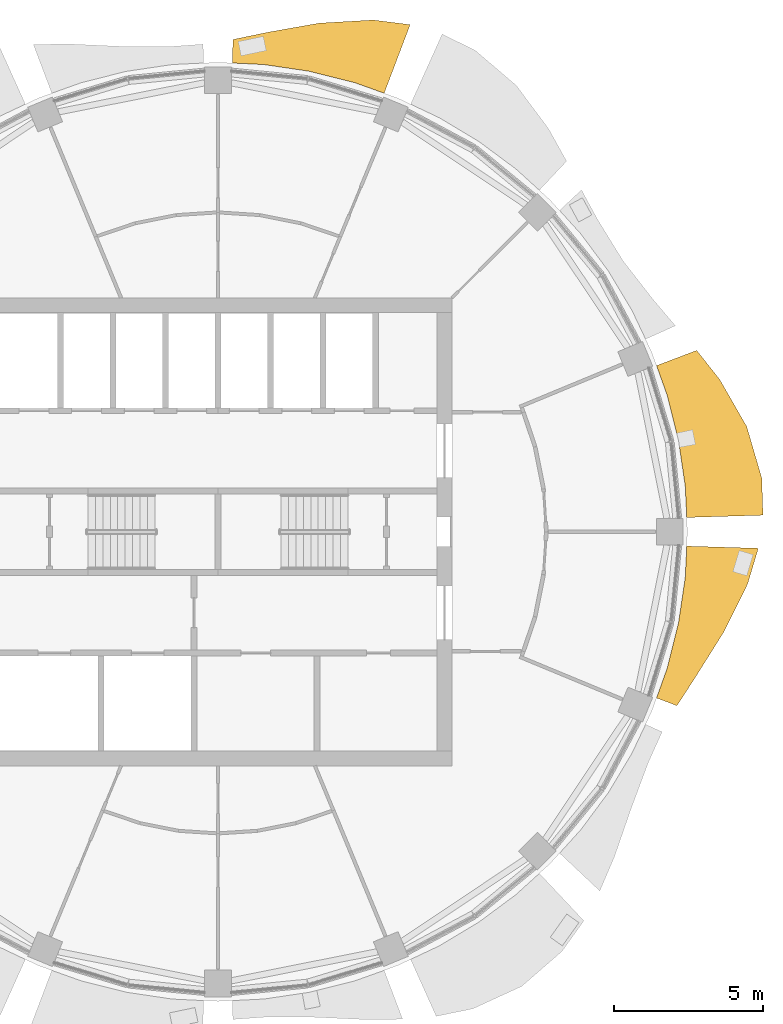
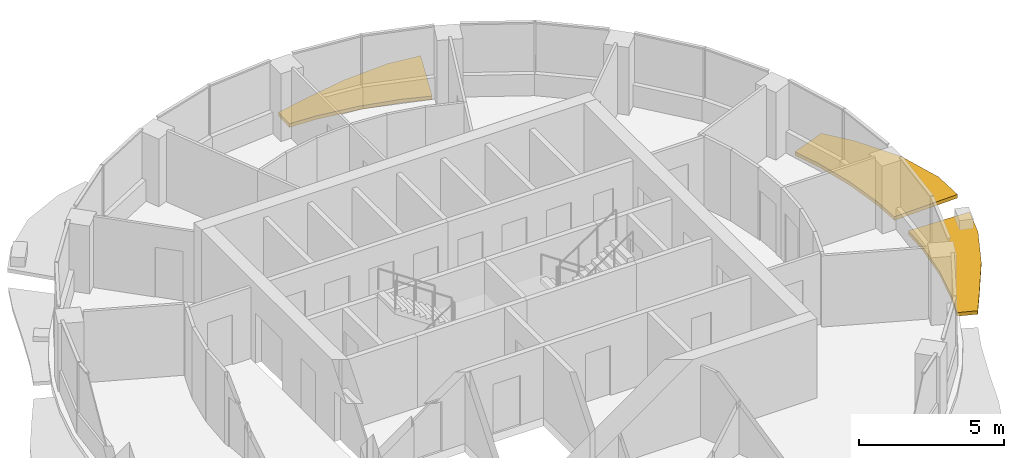
# One storey, part 13 of 14: 3 shading devices.
"""IFC4 building model written with IfcOpenShell, lengths in metres."""

from ifc_helpers import new_model, si_unit, direction, frame, origin, place, context, subcontext, project, spatial, polyline, outline, extrude, material, type_object, element, save


model = new_model("IFC4")

# Units and contexts
model_context = context("Model", 3, precision=1e-05, world=origin(), true_north=direction((0.0, 1.0)))
body_context = subcontext(model_context, "Body", "Model", "MODEL_VIEW")
ifc_project = project(units=[si_unit("LENGTHUNIT", "METRE"), si_unit("AREAUNIT", "SQUARE_METRE"), si_unit("VOLUMEUNIT", "CUBIC_METRE"), si_unit("PLANEANGLEUNIT", "RADIAN"), si_unit("MASSUNIT", "GRAM", prefix="KILO")], contexts=[model_context])

# Site, building, storey
site_placement = place(None, origin())
site = spatial("IfcSite", under=ifc_project, at=site_placement, CompositionType="ELEMENT")
building_placement = place(site_placement, origin())
building = spatial("IfcBuilding", under=site, at=building_placement, Name="Polderwave Tower", CompositionType="ELEMENT")
storey_placement = place(building_placement, frame((0.0, 0.0, 221.14990234375)))
storey = spatial("IfcBuildingStorey", under=building, at=storey_placement, Name="L60", CompositionType="ELEMENT", Elevation=221.14990234375)

# Shading devices
ifc_material = material(Name="Terracotta", Category="masonry")
shading_device_type = type_object("IfcShadingDeviceType", Name="Terracotta sunshade band", PredefinedType="USERDEFINED", material=ifc_material)
shading_device_1_placement = place(storey_placement, frame((0.0, 0.0, -0.349853515625)))
element("IfcShadingDevice", 1, at=shading_device_1_placement, inside=storey, type_object=shading_device_type, Name="Sunshade band L60 1", ObjectType="SUNSHADE", PredefinedType="USERDEFINED", context=body_context, shape_type="SweptSolid", body=[
    extrude(outline(polyline([(15.7763671875, 0.481201171875), (15.723876953125, 1.548583984375), (15.496337890625, 3.08251953125), (15.11962890625, 4.58642578125), (14.759521484375, 5.5927734375), (16.10986328125, 6.104248046875), (16.886962890625, 5.12255859375), (17.794921875, 3.53955078125), (18.30126953125, 1.802490234375), (18.3408203125, 0.5595703125), (15.7763671875, 0.481201171875)])), origin(), (0.0, 0.0, 1.0), 0.14990234375),
])
shading_device_2_placement = place(storey_placement, frame((0.0, 0.0, -0.349853515625)))
element("IfcShadingDevice", 2, at=shading_device_2_placement, inside=storey, type_object=shading_device_type, Name="Sunshade band L60 4", ObjectType="SUNSHADE", PredefinedType="USERDEFINED", context=body_context, shape_type="SweptSolid", body=[
    extrude(outline(polyline([(5.5927734375, 14.759521484375), (4.58642578125, 15.11962890625), (3.08251953125, 15.496337890625), (1.548583984375, 15.723876953125), (0.481201171875, 15.7763671875), (0.50537109375, 16.567138671875), (1.655517578125, 16.807861328125), (3.40478515625, 17.11767578125), (5.224853515625, 17.223876953125), (6.466552734375, 17.066162109375), (5.5927734375, 14.759521484375)])), origin(), (0.0, 0.0, 1.0), 0.14990234375),
])
shading_device_3_placement = place(storey_placement, frame((0.0, 0.0, -0.349853515625)))
element("IfcShadingDevice", 3, at=shading_device_3_placement, inside=storey, type_object=shading_device_type, Name="Sunshade band L60 16", ObjectType="SUNSHADE", PredefinedType="USERDEFINED", context=body_context, shape_type="SweptSolid", body=[
    extrude(outline(polyline([(14.759521484375, -5.5927734375), (15.11962890625, -4.58642578125), (15.496337890625, -3.08251953125), (15.723876953125, -1.548583984375), (15.7763671875, -0.481201171875), (18.18408203125, -0.5546875), (17.824462890625, -1.755615234375), (17.013671875, -3.38427734375), (16.07763671875, -4.877197265625), (15.445556640625, -5.8525390625), (14.759521484375, -5.5927734375)])), origin(), (0.0, 0.0, 1.0), 0.14990234375),
])

save(model, "model.ifc")
